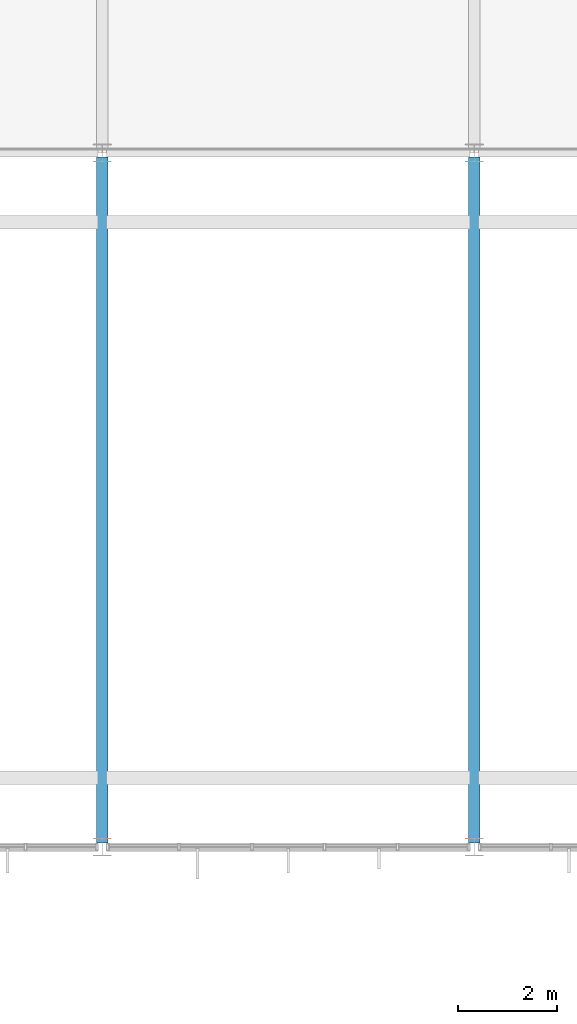
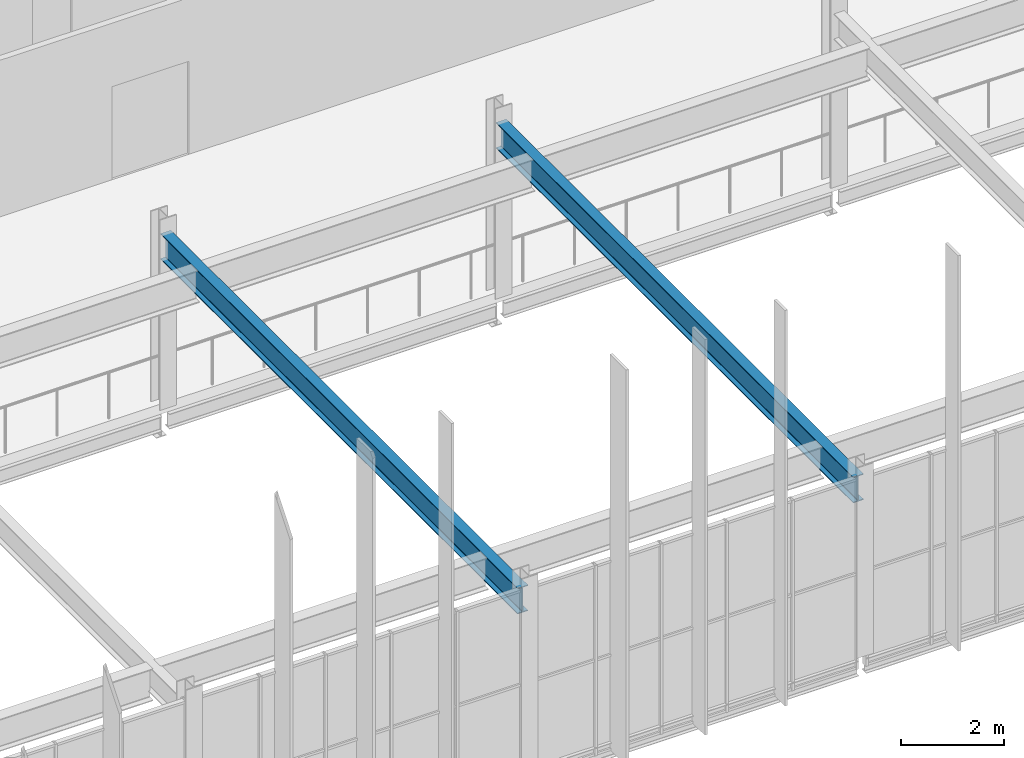
# One storey, part 72 of 324: 2 beams.
"""IFC4 building model written with IfcOpenShell, lengths in metres."""

from ifc_helpers import new_model, si_unit, direction, frame, origin, origin_2d, place, context, subcontext, project, spatial, i_section, extrude, material, material_profile, profile_set, type_object, element, save


model = new_model("IFC4")

# Units and contexts
model_context = context("Model", 3, precision=1e-05, world=origin(), true_north=direction((0.0, 1.0)))
body_context = subcontext(model_context, "Body", "Model", "MODEL_VIEW")
ifc_project = project(units=[si_unit("LENGTHUNIT", "METRE"), si_unit("AREAUNIT", "SQUARE_METRE"), si_unit("VOLUMEUNIT", "CUBIC_METRE"), si_unit("PLANEANGLEUNIT", "RADIAN"), si_unit("MASSUNIT", "GRAM", prefix="KILO")], contexts=[model_context])

# Site, building, storey
site_placement = place(None, origin())
site = spatial("IfcSite", under=ifc_project, at=site_placement, CompositionType="ELEMENT")
building_placement = place(site_placement, origin())
building = spatial("IfcBuilding", under=site, at=building_placement, Name="Solvenia Promenade Tram Depot", CompositionType="ELEMENT")
storey_placement = place(building_placement, frame((0.0, 0.0, 4.5)))
storey = spatial("IfcBuildingStorey", under=building, at=storey_placement, Name="L01", CompositionType="ELEMENT", Elevation=4.5)

# Beams
ifc_material = material(Name="Structural steel ASTM A992 Gr. 50", Category="steel")
ifc_material_profile = material_profile(ifc_material, i_section(OverallWidth=0.22900390625, OverallDepth=0.612060546875, WebThickness=0.011962890625, FlangeThickness=0.01953125, FilletRadius=0.014892578125, at=origin_2d()), Name="W610x125", Category="steel")
ifc_profile_set = profile_set([ifc_material_profile], Name="Structural steel ASTM A992 Gr. 50")
beam_type = type_object("IfcBeamType", Name="Gird-W610x125", PredefinedType="BEAM", material=ifc_profile_set)
for number, where, z_axis, x_axis, name in (
    (1, (120.0, 24.0849609375, 3.7939453125), (0.0, 1.0, 0.0), (-1.0, 0.0, 0.0), "Crane Hall Cross Bearer BM-L01-0908"),
    (2, (127.5, 24.0849609375, 3.7939453125), (0.0, 1.0, 0.0), (-1.0, 0.0, 0.0), "Crane Hall Cross Bearer BM-L01-0909"),
):
    element("IfcBeam", number, at=place(storey_placement, frame(where, z_axis=z_axis, x_axis=x_axis)), inside=storey, type_object=beam_type, Name=name, PredefinedType="BEAM", context=body_context, shape_type="SweptSolid", body=[
        extrude(i_section(OverallWidth=0.22900390625, OverallDepth=0.612060546875, WebThickness=0.011962890625, FlangeThickness=0.01953125, FilletRadius=0.014892578125, at=origin_2d()), origin(), (0.0, 0.0, 1.0), 13.830078125),
    ])

save(model, "model.ifc")
